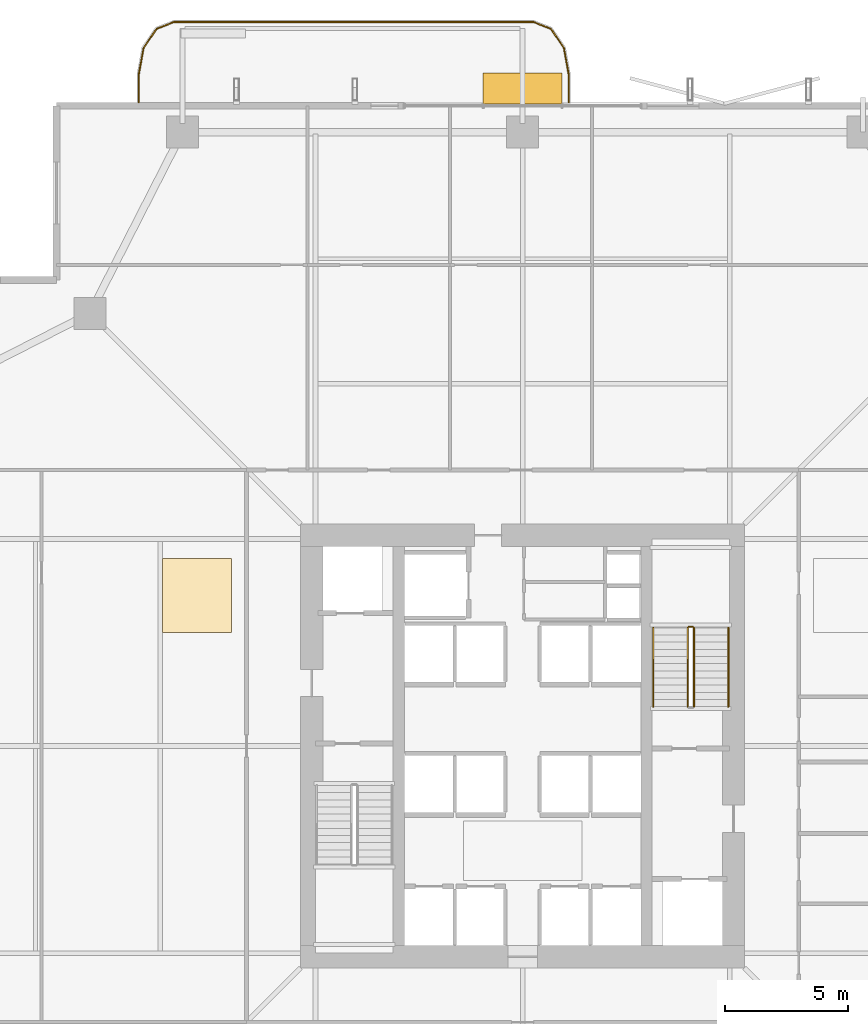
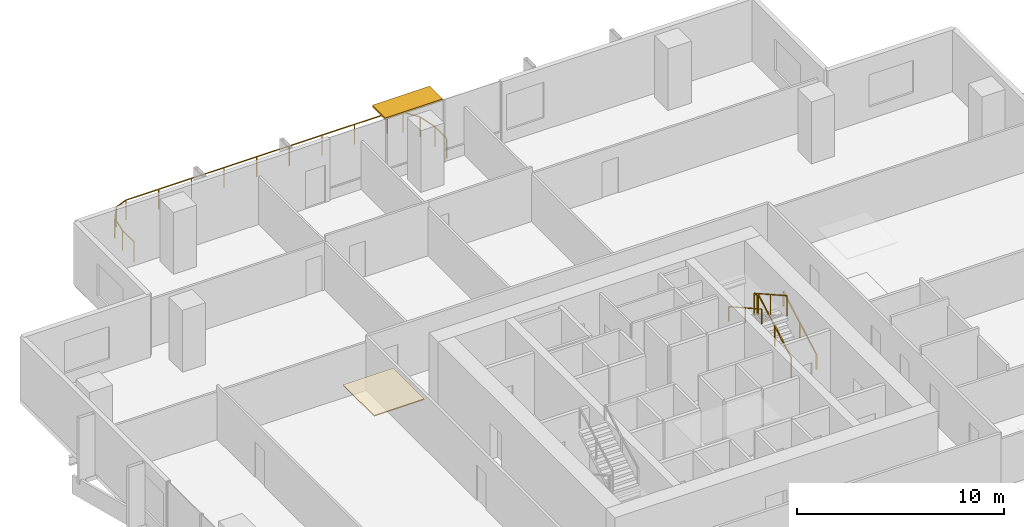
# One storey, part 23 of 24: 6 railings, 1 covering, 1 shading device.
"""IFC4 building model written with IfcOpenShell, lengths in metres."""

from ifc_helpers import new_model, si_unit, direction, frame, origin, origin_2d, place, context, subcontext, project, spatial, polyline, rectangle, outline, extrude, material, layer, layer_set, type_object, element, save


model = new_model("IFC4")

# Units and contexts
model_context = context("Model", 3, precision=1e-05, world=origin(), true_north=direction((0.0, 1.0)))
body_context = subcontext(model_context, "Body", "Model", "MODEL_VIEW")
ifc_project = project(units=[si_unit("LENGTHUNIT", "METRE"), si_unit("AREAUNIT", "SQUARE_METRE"), si_unit("VOLUMEUNIT", "CUBIC_METRE"), si_unit("PLANEANGLEUNIT", "RADIAN"), si_unit("MASSUNIT", "GRAM", prefix="KILO")], contexts=[model_context])

# Site, building, storey
site_placement = place(None, origin())
site = spatial("IfcSite", under=ifc_project, at=site_placement, CompositionType="ELEMENT")
building_placement = place(site_placement, origin())
building = spatial("IfcBuilding", under=site, at=building_placement, Name="Belovzor Exchange Tower", CompositionType="ELEMENT")
storey_placement = place(building_placement, frame((0.0, 0.0, 129.0)))
storey = spatial("IfcBuildingStorey", under=building, at=storey_placement, Name="L31", CompositionType="ELEMENT", Elevation=129.0)

# Railings
ifc_material_1 = material(Name="Stainless Steel Grade 304", Category="steel")
railing_type_1 = type_object("IfcRailingType", Name="Brushed Stainless Steel Stair Handrail 900", PredefinedType="HANDRAIL", material=ifc_material_1)
railing_1_placement = place(storey_placement, frame((37.14990234375, 30.39990234375, 0.16259765625)))
element("IfcRailing", 1, at=railing_1_placement, inside=storey, type_object=railing_type_1, Name="L31 ST-2 stair handrail 1", PredefinedType="HANDRAIL", context=body_context, shape_type="SweptSolid", body=[
    extrude(rectangle(XDim=0.048095703125, YDim=0.048095703125, at=origin_2d()), frame((0.0, 0.0, 0.8759765625), z_axis=(0.0, 0.872406949647, 0.488780230991), x_axis=(-1.0, 0.0, 0.0)), (0.0, 0.0, 1.0), 3.65673828125),
    extrude(rectangle(XDim=0.0419921875, YDim=0.0419921875, at=origin_2d()), origin(), (0.0, 0.0, 1.0), 0.851806640625),
    extrude(rectangle(XDim=0.0419921875, YDim=0.0419921875, at=origin_2d()), frame((0.0, 1.59521484375, 0.8935546875)), (0.0, 0.0, 1.0), 0.851806640625),
    extrude(rectangle(XDim=0.0419921875, YDim=0.0419921875, at=origin_2d()), frame((0.0, 3.190185546875, 1.787353515625)), (0.0, 0.0, 1.0), 0.851806640625),
])
railing_2_placement = place(storey_placement, frame((34.10009765625, 33.590087890625, 2.112548828125)))
element("IfcRailing", 2, at=railing_2_placement, inside=storey, type_object=railing_type_1, Name="L31 ST-2 stair handrail 2", PredefinedType="HANDRAIL", context=body_context, shape_type="SweptSolid", body=[
    extrude(rectangle(XDim=0.048095703125, YDim=0.048095703125, at=origin_2d()), frame((0.0, 0.0, 0.8759765625), z_axis=(0.0, -0.872406949647, 0.488780230991), x_axis=(1.0, 0.0, 0.0)), (0.0, 0.0, 1.0), 3.65673828125),
    extrude(rectangle(XDim=0.0419921875, YDim=0.0419921875, at=origin_2d()), origin(), (0.0, 0.0, 1.0), 0.851806640625),
    extrude(rectangle(XDim=0.0419921875, YDim=0.0419921875, at=origin_2d()), frame((0.0, -1.59521484375, 0.8935546875)), (0.0, 0.0, 1.0), 0.851806640625),
    extrude(rectangle(XDim=0.0419921875, YDim=0.0419921875, at=origin_2d()), frame((0.0, -3.190185546875, 1.787353515625)), (0.0, 0.0, 1.0), 0.851806640625),
])
ifc_material_2 = material(Name="Stainless Steel and Laminated Safety Glass", Category="steel")
railing_type_2 = type_object("IfcRailingType", Name="Laminated Glass & Stainless Steel Balcony Balustrade 1200", PredefinedType="BALUSTRADE", material=ifc_material_2)
railing_3_placement = place(storey_placement, frame((30.669921875, 54.909912109375, 0.0)))
element("IfcRailing", 3, at=railing_3_placement, inside=storey, type_object=railing_type_2, Name="GR-1 Balcony Balustrade L31 North", PredefinedType="BALUSTRADE", context=body_context, shape_type="SweptSolid", body=[
    extrude(rectangle(XDim=0.048095703125, YDim=0.048095703125, at=origin_2d()), frame((0.0, 0.0, 1.17578125), z_axis=(0.0, 1.0, 0.0), x_axis=(-1.0, 0.0, 0.0)), (0.0, 0.0, 1.0), 1.133056640625),
    extrude(rectangle(XDim=0.048095703125, YDim=0.048095703125, at=origin_2d()), frame((0.0, 1.133056640625, 1.17578125), z_axis=(-0.180122719713, 0.983644145941, 0.0), x_axis=(-0.983644145941, -0.180122719713, 0.0)), (0.0, 0.0, 1.0), 1.09375),
    extrude(rectangle(XDim=0.048095703125, YDim=0.048095703125, at=origin_2d()), frame((-0.197021484375, 2.208984375, 1.17578125), z_axis=(-0.562768145367, 0.826614792125, 0.0), x_axis=(-0.826614792125, -0.562768145367, 0.0)), (0.0, 0.0, 1.0), 0.9326171875),
    extrude(rectangle(XDim=0.048095703125, YDim=0.048095703125, at=origin_2d()), frame((-0.721923828125, 2.97998046875, 1.17578125), z_axis=(-0.930766990125, 0.365612923861, 0.0), x_axis=(-0.365612923861, -0.930766990125, 0.0)), (0.0, 0.0, 1.0), 0.765869140625),
    extrude(rectangle(XDim=0.048095703125, YDim=0.048095703125, at=origin_2d()), frame((-1.434814453125, 3.260009765625, 1.17578125), z_axis=(-1.0, 0.0, 0.0), x_axis=(0.0, -1.0, 0.0)), (0.0, 0.0, 1.0), 14.570068359375),
    extrude(rectangle(XDim=0.048095703125, YDim=0.048095703125, at=origin_2d()), frame((-16.0048828125, 3.260009765625, 1.17578125), z_axis=(-0.930809580156, -0.365504480807, 0.0), x_axis=(0.365504480807, -0.930809580156, 0.0)), (0.0, 0.0, 1.0), 0.76611328125),
    extrude(rectangle(XDim=0.048095703125, YDim=0.048095703125, at=origin_2d()), frame((-16.718017578125, 2.97998046875, 1.17578125), z_axis=(-0.562768145367, -0.826614792125, 0.0), x_axis=(0.826614792125, -0.562768145367, 0.0)), (0.0, 0.0, 1.0), 0.9326171875),
    extrude(rectangle(XDim=0.048095703125, YDim=0.048095703125, at=origin_2d()), frame((-17.242919921875, 2.208984375, 1.17578125), z_axis=(-0.180122719713, -0.983644145941, 0.0), x_axis=(0.983644145941, -0.180122719713, 0.0)), (0.0, 0.0, 1.0), 1.09375),
    extrude(rectangle(XDim=0.048095703125, YDim=0.048095703125, at=origin_2d()), frame((-17.43994140625, 1.133056640625, 1.17578125), z_axis=(0.0, -1.0, 0.0), x_axis=(1.0, 0.0, 0.0)), (0.0, 0.0, 1.0), 1.133056640625),
    extrude(rectangle(XDim=0.0419921875, YDim=0.0419921875, at=origin_2d()), origin(), (0.0, 0.0, 1.0), 1.15185546875),
    extrude(rectangle(XDim=0.0419921875, YDim=0.0419921875, at=origin_2d()), frame((0.0, 1.133056640625, 0.0)), (0.0, 0.0, 1.0), 1.15185546875),
    extrude(rectangle(XDim=0.0419921875, YDim=0.0419921875, at=origin_2d()), frame((-0.197021484375, 2.208984375, 0.0)), (0.0, 0.0, 1.0), 1.15185546875),
    extrude(rectangle(XDim=0.0419921875, YDim=0.0419921875, at=origin_2d()), frame((-0.721923828125, 2.97998046875, 0.0)), (0.0, 0.0, 1.0), 1.15185546875),
    extrude(rectangle(XDim=0.0419921875, YDim=0.0419921875, at=origin_2d()), frame((-1.434814453125, 3.260009765625, 0.0)), (0.0, 0.0, 1.0), 1.15185546875),
    extrude(rectangle(XDim=0.0419921875, YDim=0.0419921875, at=origin_2d()), frame((-3.256103515625, 3.260009765625, 0.0)), (0.0, 0.0, 1.0), 1.15185546875),
    extrude(rectangle(XDim=0.0419921875, YDim=0.0419921875, at=origin_2d()), frame((-5.077392578125, 3.260009765625, 0.0)), (0.0, 0.0, 1.0), 1.15185546875),
    extrude(rectangle(XDim=0.0419921875, YDim=0.0419921875, at=origin_2d()), frame((-6.898681640625, 3.260009765625, 0.0)), (0.0, 0.0, 1.0), 1.15185546875),
    extrude(rectangle(XDim=0.0419921875, YDim=0.0419921875, at=origin_2d()), frame((-8.7197265625, 3.260009765625, 0.0)), (0.0, 0.0, 1.0), 1.15185546875),
    extrude(rectangle(XDim=0.0419921875, YDim=0.0419921875, at=origin_2d()), frame((-10.541015625, 3.260009765625, 0.0)), (0.0, 0.0, 1.0), 1.15185546875),
    extrude(rectangle(XDim=0.0419921875, YDim=0.0419921875, at=origin_2d()), frame((-12.3623046875, 3.260009765625, 0.0)), (0.0, 0.0, 1.0), 1.15185546875),
    extrude(rectangle(XDim=0.0419921875, YDim=0.0419921875, at=origin_2d()), frame((-14.18359375, 3.260009765625, 0.0)), (0.0, 0.0, 1.0), 1.15185546875),
    extrude(rectangle(XDim=0.0419921875, YDim=0.0419921875, at=origin_2d()), frame((-16.0048828125, 3.260009765625, 0.0)), (0.0, 0.0, 1.0), 1.15185546875),
    extrude(rectangle(XDim=0.0419921875, YDim=0.0419921875, at=origin_2d()), frame((-16.718017578125, 2.97998046875, 0.0)), (0.0, 0.0, 1.0), 1.15185546875),
    extrude(rectangle(XDim=0.0419921875, YDim=0.0419921875, at=origin_2d()), frame((-17.242919921875, 2.208984375, 0.0)), (0.0, 0.0, 1.0), 1.15185546875),
    extrude(rectangle(XDim=0.0419921875, YDim=0.0419921875, at=origin_2d()), frame((-17.43994140625, 1.133056640625, 0.0)), (0.0, 0.0, 1.0), 1.15185546875),
    extrude(rectangle(XDim=0.0419921875, YDim=0.0419921875, at=origin_2d()), frame((-17.43994140625, 0.0, 0.0)), (0.0, 0.0, 1.0), 1.15185546875),
])
ifc_material_3 = material(Name="Steel S355", Category="steel")
railing_type_3 = type_object("IfcRailingType", Name="Painted Steel Stairwell Guardrail 1200", PredefinedType="GUARDRAIL", material=ifc_material_3)
railing_4_placement = place(storey_placement, frame((35.75, 30.39990234375, 0.16259765625)))
element("IfcRailing", 4, at=railing_4_placement, inside=storey, type_object=railing_type_3, Name="L31 ST-2 stair guard 1", PredefinedType="GUARDRAIL", context=body_context, shape_type="SweptSolid", body=[
    extrude(rectangle(XDim=0.048095703125, YDim=0.048095703125, at=origin_2d()), frame((0.0, 0.0, 1.17578125), z_axis=(0.0, 0.872406949647, 0.488780230991), x_axis=(-1.0, 0.0, 0.0)), (0.0, 0.0, 1.0), 3.65673828125),
    extrude(rectangle(XDim=0.0419921875, YDim=0.0419921875, at=origin_2d()), origin(), (0.0, 0.0, 1.0), 1.15185546875),
    extrude(rectangle(XDim=0.0419921875, YDim=0.0419921875, at=origin_2d()), frame((0.0, 1.59521484375, 0.8935546875)), (0.0, 0.0, 1.0), 1.15185546875),
    extrude(rectangle(XDim=0.0419921875, YDim=0.0419921875, at=origin_2d()), frame((0.0, 3.190185546875, 1.787353515625)), (0.0, 0.0, 1.0), 1.15185546875),
])
railing_5_placement = place(storey_placement, frame((35.699951171875, 33.639892578125, 1.949951171875)))
element("IfcRailing", 5, at=railing_5_placement, inside=storey, type_object=railing_type_3, Name="L31 ST-2 stair guard 2", PredefinedType="GUARDRAIL", context=body_context, shape_type="SweptSolid", body=[
    extrude(rectangle(XDim=0.048095703125, YDim=0.048095703125, at=origin_2d()), frame((0.0, 0.0, 1.17578125), z_axis=(-1.0, 0.0, 0.0), x_axis=(0.0, -1.0, 0.0)), (0.0, 0.0, 1.0), 0.14990234375),
    extrude(rectangle(XDim=0.0419921875, YDim=0.0419921875, at=origin_2d()), origin(), (0.0, 0.0, 1.0), 1.15185546875),
    extrude(rectangle(XDim=0.0419921875, YDim=0.0419921875, at=origin_2d()), frame((-0.14990234375, 0.0, 0.0)), (0.0, 0.0, 1.0), 1.15185546875),
])
railing_6_placement = place(storey_placement, frame((35.5, 33.590087890625, 2.112548828125)))
element("IfcRailing", 6, at=railing_6_placement, inside=storey, type_object=railing_type_3, Name="L31 ST-2 stair guard 3", PredefinedType="GUARDRAIL", context=body_context, shape_type="SweptSolid", body=[
    extrude(rectangle(XDim=0.048095703125, YDim=0.048095703125, at=origin_2d()), frame((0.0, 0.0, 1.17578125), z_axis=(0.0, -0.872406949647, 0.488780230991), x_axis=(1.0, 0.0, 0.0)), (0.0, 0.0, 1.0), 3.65673828125),
    extrude(rectangle(XDim=0.0419921875, YDim=0.0419921875, at=origin_2d()), origin(), (0.0, 0.0, 1.0), 1.15185546875),
    extrude(rectangle(XDim=0.0419921875, YDim=0.0419921875, at=origin_2d()), frame((0.0, -1.59521484375, 0.8935546875)), (0.0, 0.0, 1.0), 1.15185546875),
    extrude(rectangle(XDim=0.0419921875, YDim=0.0419921875, at=origin_2d()), frame((0.0, -3.190185546875, 1.787353515625)), (0.0, 0.0, 1.0), 1.15185546875),
])

# Covering
ifc_material_4 = material(Name="Perforated Powder-Coated Aluminium", Category="aluminium")
ifc_layer_1 = layer(ifc_material_4, 0.06005859375)
ifc_layer_set_1 = layer_set([ifc_layer_1], Name="Perforated Powder-Coated Aluminium")
covering_type = type_object("IfcCoveringType", Name="Perforated Acoustic Metal Tile Suspended Ceiling 60", PredefinedType="CEILING", material=ifc_layer_set_1)
covering_placement = place(storey_placement, frame((0.0, 0.0, 3.590087890625)))
element("IfcCovering", 7, at=covering_placement, inside=storey, type_object=covering_type, Name="CLG-AC60 Suspended Ceiling CLG-L31-Z3", PredefinedType="CEILING", context=body_context, shape_type="SweptSolid", body=[
    extrude(outline(polyline([(14.199951171875, 33.39990234375), (17.0, 33.39990234375), (17.0, 36.39990234375), (14.199951171875, 36.39990234375), (14.199951171875, 33.39990234375)])), origin(), (0.0, 0.0, 1.0), 0.059814453125),
])

# Shading device
ifc_material_5 = material(Name="Extruded Architectural Terracotta", Category="masonry")
ifc_layer_2 = layer(ifc_material_5, 0.1201171875)
ifc_layer_set_2 = layer_set([ifc_layer_2], Name="Extruded Architectural Terracotta")
shading_device_type = type_object("IfcShadingDeviceType", Name="Streamline Terracotta Horizontal Sunshade Hood 1250", PredefinedType="AWNING", material=ifc_layer_set_2)
shading_device_placement = place(storey_placement, frame((28.800048828125, 55.465087890625, 3.530029296875), z_axis=(0.0, 0.0, 1.0), x_axis=(1.0, 0.0, 0.0)))
element("IfcShadingDevice", 8, at=shading_device_placement, inside=storey, type_object=shading_device_type, Name="SHD-TC125 Terracotta Sunshade L31 N", PredefinedType="AWNING", context=body_context, shape_type="SweptSolid", body=[
    extrude(rectangle(XDim=3.199951171875, YDim=1.25, at=origin_2d()), origin(), (0.0, 0.0, 1.0), 0.1201171875),
])

save(model, "model.ifc")
